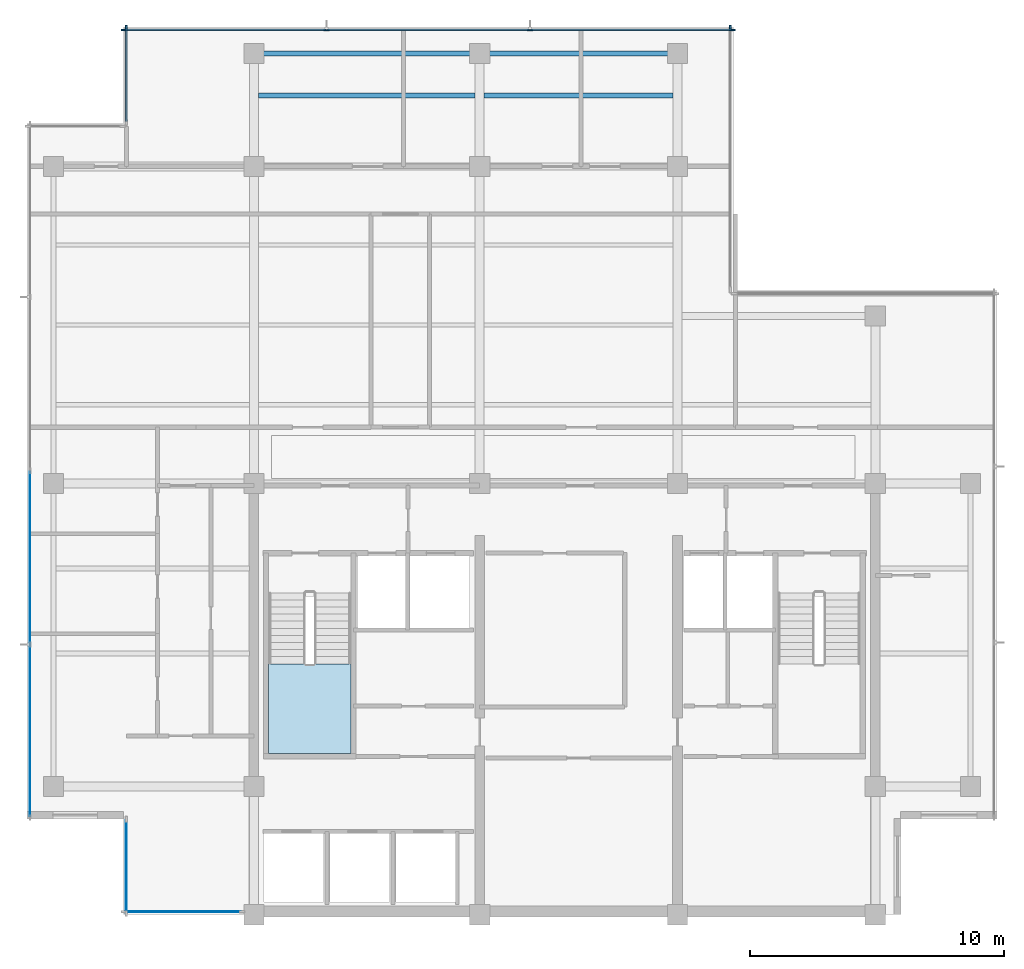
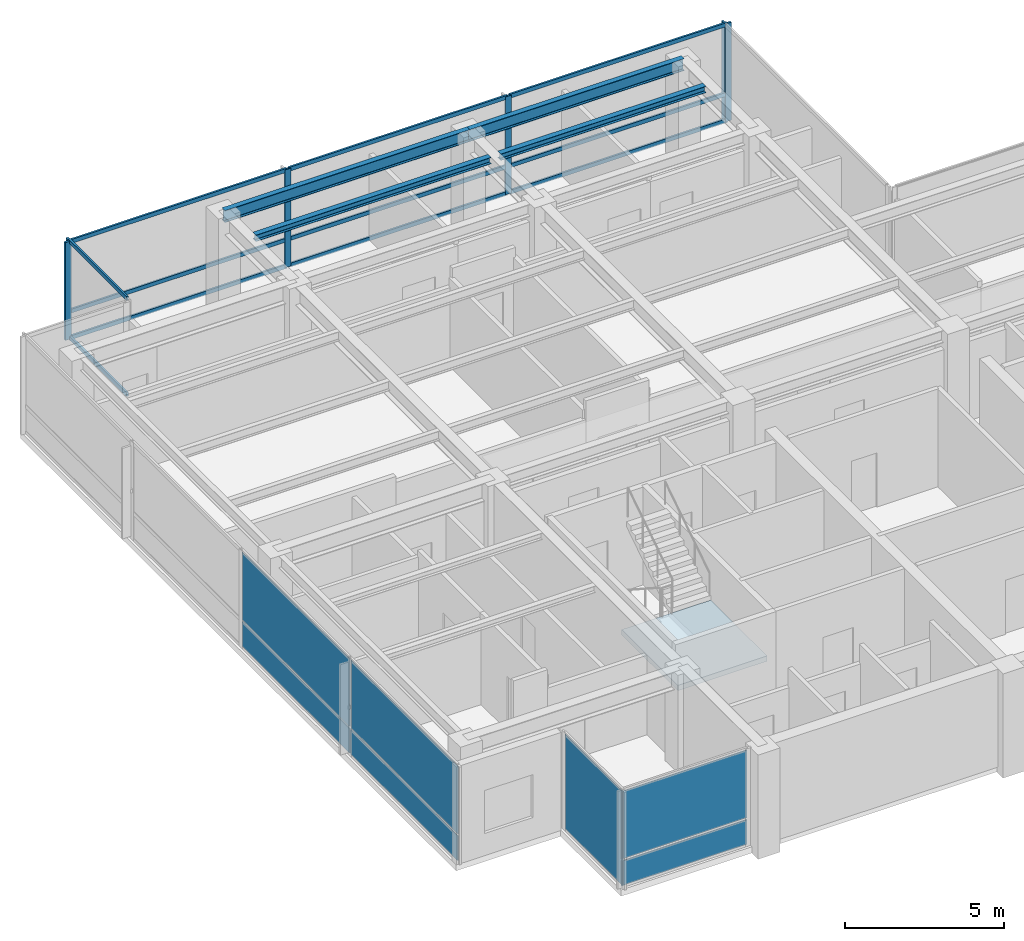
# One storey, part 4 of 11: 17 members, 7 plates, 4 beams, 1 slab, 7 elements without a shape of their own.
"""IFC4 building model written with IfcOpenShell, lengths in metres."""

from ifc_helpers import new_model, si_unit, direction, frame, origin, origin_2d, place, context, subcontext, project, spatial, polyline, rectangle, i_section, outline, extrude, material, layer, layer_set, material_profile, profile_set, type_object, element, aggregate, save


model = new_model("IFC4")

# Units and contexts
model_context = context("Model", 3, precision=1e-05, world=origin(), true_north=direction((0.0, 1.0)))
body_context = subcontext(model_context, "Body", "Model", "MODEL_VIEW")
ifc_project = project(units=[si_unit("LENGTHUNIT", "METRE"), si_unit("AREAUNIT", "SQUARE_METRE"), si_unit("VOLUMEUNIT", "CUBIC_METRE"), si_unit("PLANEANGLEUNIT", "RADIAN"), si_unit("MASSUNIT", "GRAM", prefix="KILO")], contexts=[model_context])

# Site, building, storey
site_placement = place(None, origin())
site = spatial("IfcSite", under=ifc_project, at=site_placement, CompositionType="ELEMENT")
building_placement = place(site_placement, origin())
building = spatial("IfcBuilding", under=site, at=building_placement, Name="Qalmaran Belvedere Hotel", CompositionType="ELEMENT")
storey_placement = place(building_placement, frame((0.0, 0.0, 289.89990234375)))
storey = spatial("IfcBuildingStorey", under=building, at=storey_placement, Name="L75", CompositionType="ELEMENT", Elevation=289.89990234375)

# Beams
ifc_material_1 = material(Name="Steel S355JR", Category="steel")
ifc_material_profile_1 = material_profile(ifc_material_1, i_section(OverallWidth=0.201904296875, OverallDepth=0.2470703125, WebThickness=0.00732421875, FlangeThickness=0.010986328125, FilletRadius=0.011962890625, at=origin_2d()), Name="W250X49")
ifc_profile_set_1 = profile_set([ifc_material_profile_1], Name="Steel S355JR")
beam_type_1 = type_object("IfcBeamType", Name="BM-JST-W250X49", PredefinedType="JOIST", material=ifc_profile_set_1)
beam_1_placement = place(storey_placement, frame((20.4755859375, 35.800048828125, 3.63671875), z_axis=(1.0, 0.0, 0.0), x_axis=(0.0, 1.0, 0.0)))
element("IfcBeam", 1, at=beam_1_placement, inside=storey, type_object=beam_type_1, Name="L75 North Floor Joist 039", PredefinedType="JOIST", context=body_context, shape_type="SweptSolid", body=[
    extrude(i_section(OverallWidth=0.201904296875, OverallDepth=0.2470703125, WebThickness=0.00732421875, FlangeThickness=0.010986328125, FilletRadius=0.011962890625, at=origin_2d()), origin(), (0.0, 0.0, 1.0), 8.548828125),
])
beam_2_placement = place(storey_placement, frame((29.37548828125, 35.800048828125, 3.63671875), z_axis=(1.0, 0.0, 0.0), x_axis=(0.0, 1.0, 0.0)))
element("IfcBeam", 2, at=beam_2_placement, inside=storey, type_object=beam_type_1, Name="L75 North Floor Joist 040", PredefinedType="JOIST", context=body_context, shape_type="SweptSolid", body=[
    extrude(i_section(OverallWidth=0.201904296875, OverallDepth=0.2470703125, WebThickness=0.00732421875, FlangeThickness=0.010986328125, FilletRadius=0.011962890625, at=origin_2d()), origin(), (0.0, 0.0, 1.0), 7.448974609375),
])
ifc_material_profile_2 = material_profile(ifc_material_1, i_section(OverallWidth=0.19189453125, OverallDepth=0.462890625, WebThickness=0.010498046875, FlangeThickness=0.017578125, FilletRadius=0.01611328125, at=origin_2d()), Name="W460X89")
ifc_profile_set_2 = profile_set([ifc_material_profile_2], Name="Steel S355JR")
beam_type_2 = type_object("IfcBeamType", Name="BM-SP2-W460X89", PredefinedType="SPANDREL", material=ifc_profile_set_2)
beam_3_placement = place(storey_placement, frame((20.300048828125, 37.449951171875, 3.528564453125), z_axis=(1.0, 0.0, 0.0), x_axis=(0.0, 1.0, 0.0)))
element("IfcBeam", 3, at=beam_3_placement, inside=storey, type_object=beam_type_2, Name="L75 Perimeter Spandrel 04", PredefinedType="SPANDREL", context=body_context, shape_type="SweptSolid", body=[
    extrude(i_section(OverallWidth=0.19189453125, OverallDepth=0.462890625, WebThickness=0.010498046875, FlangeThickness=0.017578125, FilletRadius=0.01611328125, at=origin_2d()), origin(), (0.0, 0.0, 1.0), 8.89990234375),
])
beam_4_placement = place(storey_placement, frame((29.199951171875, 37.449951171875, 3.528564453125), z_axis=(1.0, 0.0, 0.0), x_axis=(0.0, 1.0, 0.0)))
element("IfcBeam", 4, at=beam_4_placement, inside=storey, type_object=beam_type_2, Name="L75 Perimeter Spandrel 05", PredefinedType="SPANDREL", context=body_context, shape_type="SweptSolid", body=[
    extrude(i_section(OverallWidth=0.19189453125, OverallDepth=0.462890625, WebThickness=0.010498046875, FlangeThickness=0.017578125, FilletRadius=0.01611328125, at=origin_2d()), origin(), (0.0, 0.0, 1.0), 7.800048828125),
])

# Curtain wall, member
ifc_material_2 = material(Name="Anodised Bronze Aluminium", Category="aluminium")
ifc_layer_1 = layer(ifc_material_2, 0.205078125, Name="Anodised Bronze Aluminium")
ifc_layer_set_1 = layer_set([ifc_layer_1], Name="Anodised Bronze Aluminium")
curtain_wall_type = type_object("IfcCurtainWallType", Name="CW7-CROWN-BELVEDERE", PredefinedType="NOTDEFINED", material=ifc_layer_set_1)
curtain_wall_1_placement = place(storey_placement, origin())
curtain_wall_1 = element("IfcCurtainWall", 5, at=curtain_wall_1_placement, inside=storey, type_object=curtain_wall_type, Name="L75 Curtain Wall CW7", PredefinedType="NOTDEFINED")
ifc_material_profile_3 = material_profile(ifc_material_2, rectangle(XDim=0.074951171875, YDim=0.219970703125, at=origin_2d()), Name="CWM75X220")
ifc_profile_set_3 = profile_set([ifc_material_profile_3], Name="Anodised Bronze Aluminium")
member_type_1 = type_object("IfcMemberType", Name="CWM-75X220", PredefinedType="MULLION", material=ifc_profile_set_3)
member_1_placement = place(storey_placement, frame((39.080078125, 38.46240234375, 0.0), z_axis=(0.0, 0.0, 1.0), x_axis=(-1.0, 0.0, 0.0)))
member_1 = element("IfcMember", 6, at=member_1_placement, type_object=member_type_1, Name="CW7 mullion 2", PredefinedType="MULLION", context=body_context, shape_type="SweptSolid", body=[
    extrude(rectangle(XDim=0.074951171875, YDim=0.219970703125, at=origin_2d()), origin(), (0.0, 0.0, 1.0), 3.760009765625),
])
aggregate(curtain_wall_1, [member_1])

# Curtain wall, members
curtain_wall_2_placement = place(storey_placement, origin())
curtain_wall_2 = element("IfcCurtainWall", 7, at=curtain_wall_2_placement, inside=storey, type_object=curtain_wall_type, Name="L75 Curtain Wall CW7", PredefinedType="NOTDEFINED")
member_2_placement = place(storey_placement, frame((39.16259765625, 38.3798828125, 0.0), z_axis=(0.0, 0.0, 1.0), x_axis=(0.0, -1.0, 0.0)))
member_2 = element("IfcMember", 8, at=member_2_placement, type_object=member_type_1, Name="CW7 mullion 1", PredefinedType="MULLION", context=body_context, shape_type="SweptSolid", body=[
    extrude(rectangle(XDim=0.074951171875, YDim=0.219970703125, at=origin_2d()), origin(), (0.0, 0.0, 1.0), 3.760009765625),
])
member_3_placement = place(storey_placement, frame((31.183349609375, 38.3798828125, 0.0), z_axis=(0.0, 0.0, 1.0), x_axis=(0.0, -1.0, 0.0)))
member_3 = element("IfcMember", 9, at=member_3_placement, type_object=member_type_1, Name="CW7 mullion 2", PredefinedType="MULLION", context=body_context, shape_type="SweptSolid", body=[
    extrude(rectangle(XDim=0.074951171875, YDim=0.219970703125, at=origin_2d()), origin(), (0.0, 0.0, 1.0), 3.760009765625),
])
member_4_placement = place(storey_placement, frame((23.166748046875, 38.3798828125, 0.0), z_axis=(0.0, 0.0, 1.0), x_axis=(0.0, -1.0, 0.0)))
member_4 = element("IfcMember", 10, at=member_4_placement, type_object=member_type_1, Name="CW7 mullion 3", PredefinedType="MULLION", context=body_context, shape_type="SweptSolid", body=[
    extrude(rectangle(XDim=0.074951171875, YDim=0.219970703125, at=origin_2d()), origin(), (0.0, 0.0, 1.0), 3.760009765625),
])
member_5_placement = place(storey_placement, frame((15.1875, 38.3798828125, 0.0), z_axis=(0.0, 0.0, 1.0), x_axis=(0.0, -1.0, 0.0)))
member_5 = element("IfcMember", 11, at=member_5_placement, type_object=member_type_1, Name="CW7 mullion 4", PredefinedType="MULLION", context=body_context, shape_type="SweptSolid", body=[
    extrude(rectangle(XDim=0.074951171875, YDim=0.219970703125, at=origin_2d()), origin(), (0.0, 0.0, 1.0), 3.760009765625),
])

# Curtain wall, member
curtain_wall_3_placement = place(storey_placement, origin())
curtain_wall_3 = element("IfcCurtainWall", 12, at=curtain_wall_3_placement, inside=storey, type_object=curtain_wall_type, Name="L75 Curtain Wall CW7", PredefinedType="NOTDEFINED")
member_6_placement = place(storey_placement, frame((15.27001953125, 38.46240234375, 0.0), z_axis=(0.0, 0.0, 1.0), x_axis=(1.0, 0.0, 0.0)))
member_6 = element("IfcMember", 13, at=member_6_placement, type_object=member_type_1, Name="CW7 mullion 1", PredefinedType="MULLION", context=body_context, shape_type="SweptSolid", body=[
    extrude(rectangle(XDim=0.074951171875, YDim=0.219970703125, at=origin_2d()), origin(), (0.0, 0.0, 1.0), 3.760009765625),
])

# Member
ifc_material_profile_4 = material_profile(ifc_material_2, rectangle(XDim=0.070068359375, YDim=0.14990234375, at=origin_2d()), Name="CWT70X150")
ifc_profile_set_4 = profile_set([ifc_material_profile_4], Name="Anodised Bronze Aluminium")
member_type_2 = type_object("IfcMemberType", Name="CWT-70X150", PredefinedType="USERDEFINED", material=ifc_profile_set_4)
member_7_placement = place(storey_placement, frame((39.125, 38.3798828125, 0.03515625), z_axis=(-1.0, 0.0, 0.0), x_axis=(0.0, -1.0, 0.0)))
member_7 = element("IfcMember", 14, at=member_7_placement, type_object=member_type_2, Name="CW7 transom 1.1", ObjectType="TRANSOM", PredefinedType="USERDEFINED", context=body_context, shape_type="SweptSolid", body=[
    extrude(rectangle(XDim=0.070068359375, YDim=0.14990234375, at=origin_2d()), origin(), (0.0, 0.0, 1.0), 7.904052734375),
])

member_8_placement = place(storey_placement, frame((39.125, 38.3798828125, 1.052978515625), z_axis=(-1.0, 0.0, 0.0), x_axis=(0.0, -1.0, 0.0)))
member_8 = element("IfcMember", 15, at=member_8_placement, type_object=member_type_2, Name="CW7 transom 1.2", ObjectType="TRANSOM", PredefinedType="USERDEFINED", context=body_context, shape_type="SweptSolid", body=[
    extrude(rectangle(XDim=0.070068359375, YDim=0.14990234375, at=origin_2d()), origin(), (0.0, 0.0, 1.0), 7.904052734375),
])

member_9_placement = place(storey_placement, frame((39.125, 38.3798828125, 3.72509765625), z_axis=(-1.0, 0.0, 0.0), x_axis=(0.0, -1.0, 0.0)))
member_9 = element("IfcMember", 16, at=member_9_placement, type_object=member_type_2, Name="CW7 transom 1.3", ObjectType="TRANSOM", PredefinedType="USERDEFINED", context=body_context, shape_type="SweptSolid", body=[
    extrude(rectangle(XDim=0.070068359375, YDim=0.14990234375, at=origin_2d()), origin(), (0.0, 0.0, 1.0), 7.904052734375),
])

member_10_placement = place(storey_placement, frame((31.145751953125, 38.3798828125, 0.03515625), z_axis=(-1.0, 0.0, 0.0), x_axis=(0.0, -1.0, 0.0)))
member_10 = element("IfcMember", 17, at=member_10_placement, type_object=member_type_2, Name="CW7 transom 2.1", ObjectType="TRANSOM", PredefinedType="USERDEFINED", context=body_context, shape_type="SweptSolid", body=[
    extrude(rectangle(XDim=0.070068359375, YDim=0.14990234375, at=origin_2d()), origin(), (0.0, 0.0, 1.0), 7.941650390625),
])

member_11_placement = place(storey_placement, frame((31.145751953125, 38.3798828125, 1.052978515625), z_axis=(-1.0, 0.0, 0.0), x_axis=(0.0, -1.0, 0.0)))
member_11 = element("IfcMember", 18, at=member_11_placement, type_object=member_type_2, Name="CW7 transom 2.2", ObjectType="TRANSOM", PredefinedType="USERDEFINED", context=body_context, shape_type="SweptSolid", body=[
    extrude(rectangle(XDim=0.070068359375, YDim=0.14990234375, at=origin_2d()), origin(), (0.0, 0.0, 1.0), 7.941650390625),
])

member_12_placement = place(storey_placement, frame((31.145751953125, 38.3798828125, 3.72509765625), z_axis=(-1.0, 0.0, 0.0), x_axis=(0.0, -1.0, 0.0)))
member_12 = element("IfcMember", 19, at=member_12_placement, type_object=member_type_2, Name="CW7 transom 2.3", ObjectType="TRANSOM", PredefinedType="USERDEFINED", context=body_context, shape_type="SweptSolid", body=[
    extrude(rectangle(XDim=0.070068359375, YDim=0.14990234375, at=origin_2d()), origin(), (0.0, 0.0, 1.0), 7.941650390625),
])

member_13_placement = place(storey_placement, frame((23.129150390625, 38.3798828125, 0.03515625), z_axis=(-1.0, 0.0, 0.0), x_axis=(0.0, -1.0, 0.0)))
member_13 = element("IfcMember", 20, at=member_13_placement, type_object=member_type_2, Name="CW7 transom 3.1", ObjectType="TRANSOM", PredefinedType="USERDEFINED", context=body_context, shape_type="SweptSolid", body=[
    extrude(rectangle(XDim=0.070068359375, YDim=0.14990234375, at=origin_2d()), origin(), (0.0, 0.0, 1.0), 7.904052734375),
])

member_14_placement = place(storey_placement, frame((23.129150390625, 38.3798828125, 1.052978515625), z_axis=(-1.0, 0.0, 0.0), x_axis=(0.0, -1.0, 0.0)))
member_14 = element("IfcMember", 21, at=member_14_placement, type_object=member_type_2, Name="CW7 transom 3.2", ObjectType="TRANSOM", PredefinedType="USERDEFINED", context=body_context, shape_type="SweptSolid", body=[
    extrude(rectangle(XDim=0.070068359375, YDim=0.14990234375, at=origin_2d()), origin(), (0.0, 0.0, 1.0), 7.904052734375),
])

member_15_placement = place(storey_placement, frame((23.129150390625, 38.3798828125, 3.72509765625), z_axis=(-1.0, 0.0, 0.0), x_axis=(0.0, -1.0, 0.0)))
member_15 = element("IfcMember", 22, at=member_15_placement, type_object=member_type_2, Name="CW7 transom 3.3", ObjectType="TRANSOM", PredefinedType="USERDEFINED", context=body_context, shape_type="SweptSolid", body=[
    extrude(rectangle(XDim=0.070068359375, YDim=0.14990234375, at=origin_2d()), origin(), (0.0, 0.0, 1.0), 7.904052734375),
])

aggregate(curtain_wall_2, [member_2, member_3, member_4, member_5, member_7, member_8, member_9, member_10, member_11, member_12, member_13, member_14, member_15])

member_16_placement = place(storey_placement, frame((15.27001953125, 38.425048828125, 0.03515625), z_axis=(0.0, -1.0, 0.0), x_axis=(1.0, 0.0, 0.0)))
member_16 = element("IfcMember", 23, at=member_16_placement, type_object=member_type_2, Name="CW7 transom 1.1", ObjectType="TRANSOM", PredefinedType="USERDEFINED", context=body_context, shape_type="SweptSolid", body=[
    extrude(rectangle(XDim=0.070068359375, YDim=0.14990234375, at=origin_2d()), origin(), (0.0, 0.0, 1.0), 3.650146484375),
])

member_17_placement = place(storey_placement, frame((15.27001953125, 38.425048828125, 3.72509765625), z_axis=(0.0, -1.0, 0.0), x_axis=(1.0, 0.0, 0.0)))
member_17 = element("IfcMember", 24, at=member_17_placement, type_object=member_type_2, Name="CW7 transom 1.2", ObjectType="TRANSOM", PredefinedType="USERDEFINED", context=body_context, shape_type="SweptSolid", body=[
    extrude(rectangle(XDim=0.070068359375, YDim=0.14990234375, at=origin_2d()), origin(), (0.0, 0.0, 1.0), 3.650146484375),
])

aggregate(curtain_wall_3, [member_6, member_16, member_17])

# Curtain wall, plate
curtain_wall_4_placement = place(storey_placement, origin())
curtain_wall_4 = element("IfcCurtainWall", 25, at=curtain_wall_4_placement, inside=storey, type_object=curtain_wall_type, Name="L75 Curtain Wall CW7", PredefinedType="NOTDEFINED")
ifc_material_3 = material(Name="Anodised Bronze Spandrel Panel")
ifc_layer_2 = layer(ifc_material_3, 0.035888671875, Name="Anodised Bronze Spandrel Panel")
ifc_layer_set_2 = layer_set([ifc_layer_2], Name="Anodised Bronze Spandrel Panel")
plate_type_1 = type_object("IfcPlateType", Name="CWP-SPANDREL-36", PredefinedType="CURTAIN_PANEL", material=ifc_layer_set_2)
plate_1_placement = place(storey_placement, frame((17.5048828125, 3.6201171875, 0.070068359375), z_axis=(0.0, 0.0, 1.0), x_axis=(1.0, 0.0, 0.0)))
plate_1 = element("IfcPlate", 26, at=plate_1_placement, type_object=plate_type_1, Name="CW7 panel 1.1", PredefinedType="CURTAIN_PANEL", context=body_context, shape_type="SweptSolid", body=[
    extrude(rectangle(XDim=4.56005859375, YDim=0.035888671875, at=origin_2d()), origin(), (0.0, 0.0, 1.0), 0.94775390625),
])

# Curtain wall, plates
curtain_wall_5_placement = place(storey_placement, origin())
curtain_wall_5 = element("IfcCurtainWall", 27, at=curtain_wall_5_placement, inside=storey, type_object=curtain_wall_type, Name="L75 Curtain Wall CW7", PredefinedType="NOTDEFINED")
plate_2_placement = place(storey_placement, frame((11.469970703125, 17.574951171875, 0.070068359375), z_axis=(0.0, 0.0, 1.0), x_axis=(0.0, -1.0, 0.0)))
plate_2 = element("IfcPlate", 28, at=plate_2_placement, type_object=plate_type_1, Name="CW7 panel 3.1", PredefinedType="CURTAIN_PANEL", context=body_context, shape_type="SweptSolid", body=[
    extrude(rectangle(XDim=6.77490234375, YDim=0.035888671875, at=origin_2d()), origin(), (0.0, 0.0, 1.0), 0.94775390625),
])
plate_3_placement = place(storey_placement, frame((11.469970703125, 10.74365234375, 0.070068359375), z_axis=(0.0, 0.0, 1.0), x_axis=(0.0, -1.0, 0.0)))
plate_3 = element("IfcPlate", 29, at=plate_3_placement, type_object=plate_type_1, Name="CW7 panel 4.1", PredefinedType="CURTAIN_PANEL", context=body_context, shape_type="SweptSolid", body=[
    extrude(rectangle(XDim=6.737548828125, YDim=0.035888671875, at=origin_2d()), origin(), (0.0, 0.0, 1.0), 0.94775390625),
])

# Plate
ifc_material_4 = material(Name="Solar-Control Double Glazing", Category="glass")
ifc_layer_3 = layer(ifc_material_4, 0.028076171875, Name="Solar-Control Double Glazing")
ifc_layer_set_3 = layer_set([ifc_layer_3], Name="Solar-Control Double Glazing")
plate_type_2 = type_object("IfcPlateType", Name="CWP-VISION-28", PredefinedType="CURTAIN_PANEL", material=ifc_layer_set_3)
plate_4_placement = place(storey_placement, frame((17.5048828125, 3.6201171875, 1.087890625), z_axis=(0.0, 0.0, 1.0), x_axis=(1.0, 0.0, 0.0)))
plate_4 = element("IfcPlate", 30, at=plate_4_placement, type_object=plate_type_2, Name="CW7 panel 1.2", PredefinedType="CURTAIN_PANEL", context=body_context, shape_type="SweptSolid", body=[
    extrude(rectangle(XDim=4.56005859375, YDim=0.028076171875, at=origin_2d()), origin(), (0.0, 0.0, 1.0), 2.602294921875),
])

aggregate(curtain_wall_4, [plate_1, plate_4])

plate_5_placement = place(storey_placement, frame((11.469970703125, 17.574951171875, 1.087890625), z_axis=(0.0, 0.0, 1.0), x_axis=(0.0, -1.0, 0.0)))
plate_5 = element("IfcPlate", 31, at=plate_5_placement, type_object=plate_type_2, Name="CW7 panel 3.2", PredefinedType="CURTAIN_PANEL", context=body_context, shape_type="SweptSolid", body=[
    extrude(rectangle(XDim=6.77490234375, YDim=0.028076171875, at=origin_2d()), origin(), (0.0, 0.0, 1.0), 2.602294921875),
])

plate_6_placement = place(storey_placement, frame((11.469970703125, 10.74365234375, 1.087890625), z_axis=(0.0, 0.0, 1.0), x_axis=(0.0, -1.0, 0.0)))
plate_6 = element("IfcPlate", 32, at=plate_6_placement, type_object=plate_type_2, Name="CW7 panel 4.2", PredefinedType="CURTAIN_PANEL", context=body_context, shape_type="SweptSolid", body=[
    extrude(rectangle(XDim=6.737548828125, YDim=0.028076171875, at=origin_2d()), origin(), (0.0, 0.0, 1.0), 2.602294921875),
])

aggregate(curtain_wall_5, [plate_2, plate_5, plate_3, plate_6])

# Curtain wall, plate
curtain_wall_6_placement = place(storey_placement, origin())
curtain_wall_6 = element("IfcCurtainWall", 33, at=curtain_wall_6_placement, inside=storey, type_object=curtain_wall_type, Name="L75 Curtain Wall CW7", PredefinedType="NOTDEFINED")
plate_7_placement = place(storey_placement, frame((15.27001953125, 5.39990234375, 0.070068359375), z_axis=(0.0, 0.0, 1.0), x_axis=(0.0, -1.0, 0.0)))
plate_7 = element("IfcPlate", 34, at=plate_7_placement, type_object=plate_type_2, Name="CW7 panel 1.1", PredefinedType="CURTAIN_PANEL", context=body_context, shape_type="SweptSolid", body=[
    extrude(rectangle(XDim=3.64990234375, YDim=0.028076171875, at=origin_2d()), origin(), (0.0, 0.0, 1.0), 3.6201171875),
])
aggregate(curtain_wall_6, [plate_7])

# Stair, slab
ifc_material_5 = material(Name="Concrete C40/50", Category="concrete")
stair_type = type_object("IfcStairType", Name="STR-ST-1-1450-R1818", PredefinedType="HALF_TURN_STAIR", material=ifc_material_5)
stair_placement = place(storey_placement, origin())
stair = element("IfcStair", 35, at=stair_placement, inside=storey, type_object=stair_type, Name="L75 West Core Exit Stair ST-1", PredefinedType="HALF_TURN_STAIR")
ifc_layer_4 = layer(ifc_material_5, 0.199951171875, Name="Concrete C40/50")
ifc_layer_set_4 = layer_set([ifc_layer_4], Name="Concrete C40/50")
slab_type = type_object("IfcSlabType", Name="SLB-STAIR-LANDING-200", PredefinedType="LANDING", material=ifc_layer_set_4)
slab_placement = place(storey_placement, frame((0.0, 0.0, 1.800048828125)))
slab = element("IfcSlab", 36, at=slab_placement, type_object=slab_type, Name="ST-1 landing 1", PredefinedType="LANDING", context=body_context, shape_type="SweptSolid", body=[
    extrude(outline(polyline([(20.8798828125, 13.389892578125), (20.8798828125, 9.85009765625), (24.1201171875, 9.85009765625), (24.1201171875, 13.389892578125), (20.8798828125, 13.389892578125)])), origin(), (0.0, 0.0, 1.0), 0.199951171875),
])
aggregate(stair, [slab])

save(model, "model.ifc")
